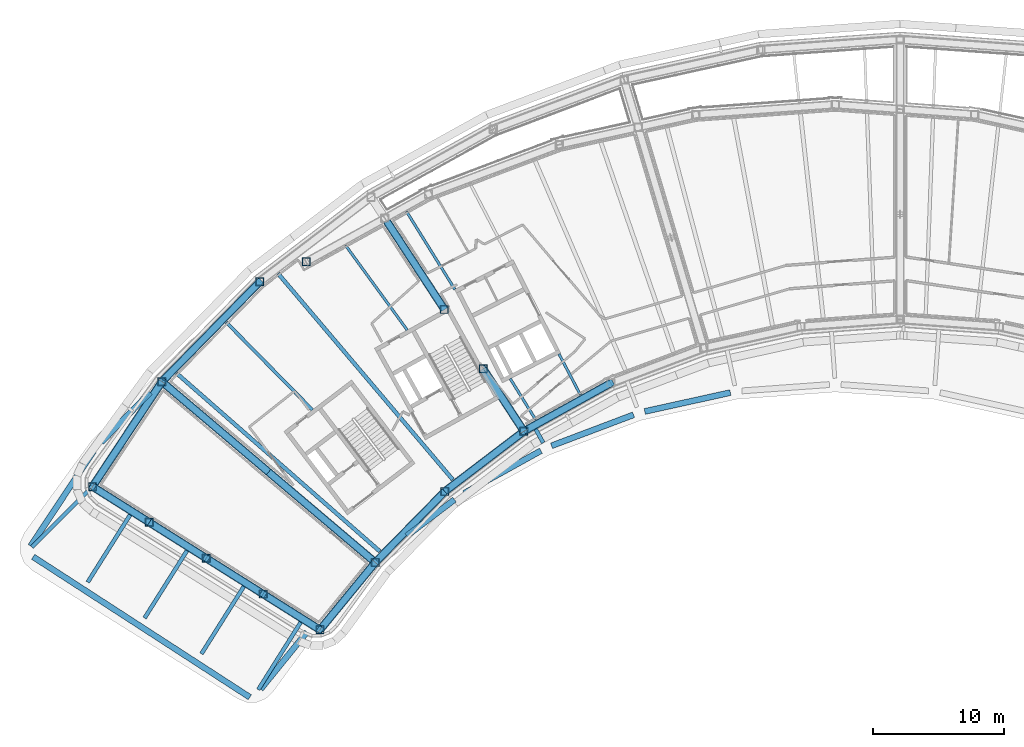
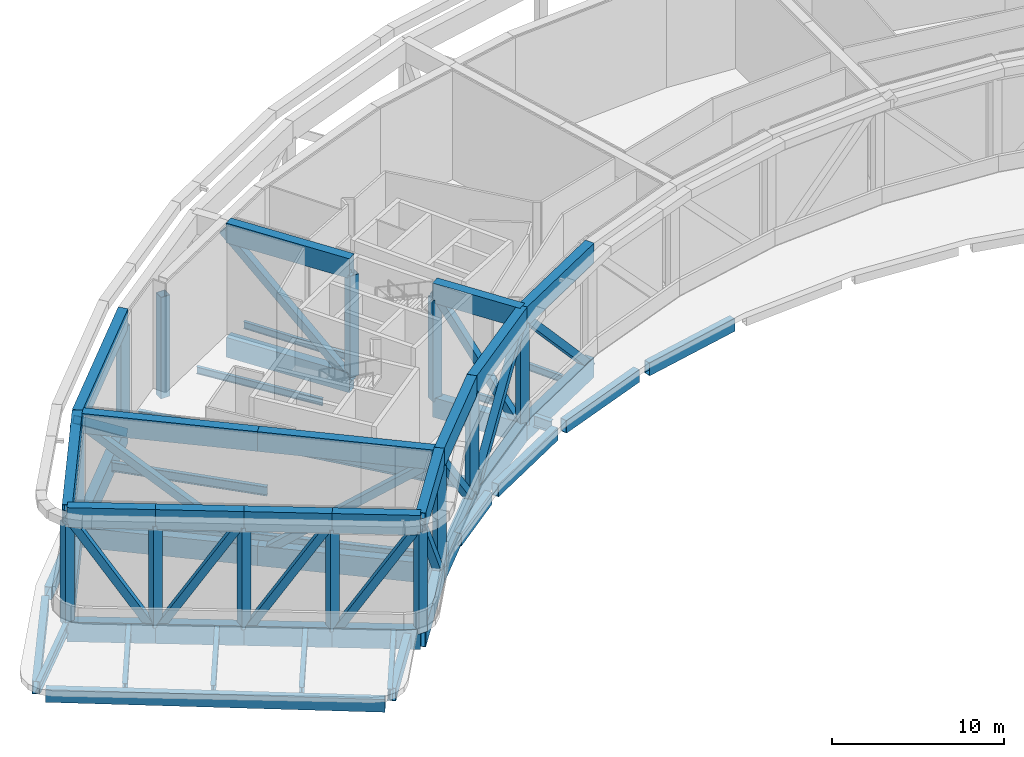
# One storey, part 1 of 27: 49 beams, 27 members.
"""IFC4 building model written with IfcOpenShell, lengths in metres."""

import ifcopenshell
import ifcopenshell.guid

model = None  # the IFC model being written
_history = None  # IfcOwnerHistory: only IFC2X3 demands one
_inside = {}  # id of a spatial element -> (the spatial element, [elements in it])
_under = {}  # id of a project, library or spatial element -> (it, [spatial elements below it])
_declared = {}  # id of a project -> (the project, [libraries it declares])
_typed = {}  # id of a type object -> (the type object, [elements of that type])
_made_of = {}  # id of a material, layer set ... -> (it, [elements and type objects made of it])


def new_model(schema):
    """Start an empty IFC model of exactly this schema.

    Asked for "IFC4X3", IfcOpenShell would pick the latest addendum, in which some entities
    have other attributes; the version numbers below select the first issue.
    IFC2X3 requires an IfcOwnerHistory on every rooted entity: one is made here for all.
    """
    global model, _history
    if schema == "IFC4X3":
        model = ifcopenshell.file(schema_version=(4, 3, 0, 0))
    else:
        model = ifcopenshell.file(schema=schema)
    _inside.clear()
    _under.clear()
    _declared.clear()
    _typed.clear()
    _made_of.clear()
    _history = None
    if model.schema == "IFC2X3":
        org = make("IfcOrganization", Name="unknown")
        user = make(
            "IfcPersonAndOrganization",
            ThePerson=make("IfcPerson", FamilyName="unknown"),
            TheOrganization=org,
        )
        app = make(
            "IfcApplication",
            ApplicationDeveloper=org,
            Version="unknown",
            ApplicationFullName="unknown",
            ApplicationIdentifier="unknown",
        )
        _history = make(
            "IfcOwnerHistory",
            OwningUser=user,
            OwningApplication=app,
            ChangeAction="ADDED",
            CreationDate=0,
        )
    return model


def make(cls, **values):
    """One entity of the class cls with the attributes given. An attribute that is None is left unset."""
    return model.create_entity(
        cls, **{name: value for name, value in values.items() if value is not None}
    )


def rooted(cls, **values):
    """An entity with a GlobalId (a new one), such as an element, a storey or a relation."""
    return make(cls, GlobalId=ifcopenshell.guid.new(), OwnerHistory=_history, **values)


def si_unit(unit_type, name, prefix=None):
    """IfcSIUnit, for example si_unit("LENGTHUNIT", "METRE", prefix="MILLI")."""
    return make("IfcSIUnit", UnitType=unit_type, Prefix=prefix, Name=name)


def assignment(units):
    """IfcUnitAssignment: the units of a project."""
    return None if units is None else make("IfcUnitAssignment", Units=units)


def point(xyz):
    """IfcCartesianPoint."""
    return None if xyz is None else make("IfcCartesianPoint", Coordinates=xyz)


def direction(xyz):
    """IfcDirection."""
    return None if xyz is None else make("IfcDirection", DirectionRatios=xyz)


def frame(location, z_axis=None, x_axis=None):
    """IfcAxis2Placement3D, a coordinate frame: its origin and axes. An axis left out is left unset."""
    return make(
        "IfcAxis2Placement3D",
        Location=point(location),
        Axis=direction(z_axis),
        RefDirection=direction(x_axis),
    )


def frame_2d(location, x_axis=None):
    """IfcAxis2Placement2D, a coordinate frame in the plane: its origin and x axis."""
    return make(
        "IfcAxis2Placement2D", Location=point(location), RefDirection=direction(x_axis)
    )


def origin():
    """The frame at (0, 0, 0) with its axes left unset."""
    return frame((0.0, 0.0, 0.0))


def origin_2d():
    """The frame at (0, 0) in the plane with its x axis left unset."""
    return frame_2d((0.0, 0.0))


def place(relative_to, where):
    """IfcLocalPlacement: puts the frame where relative to a parent placement (None: the world)."""
    return make(
        "IfcLocalPlacement", PlacementRelTo=relative_to, RelativePlacement=where
    )


def context(
    kind, dimensions, precision=None, world=None, true_north=None, identifier=None
):
    """IfcGeometricRepresentationContext, for example the 3D "Model" context."""
    return make(
        "IfcGeometricRepresentationContext",
        ContextIdentifier=identifier,
        ContextType=kind,
        CoordinateSpaceDimension=dimensions,
        Precision=precision,
        WorldCoordinateSystem=world,
        TrueNorth=true_north,
    )


def subcontext(parent, identifier, kind, view, scale=None):
    """IfcGeometricRepresentationSubContext, for example "Body" below "Model"."""
    return make(
        "IfcGeometricRepresentationSubContext",
        ContextIdentifier=identifier,
        ContextType=kind,
        ParentContext=parent,
        TargetScale=scale,
        TargetView=view,
    )


def project(units=None, contexts=None):
    """IfcProject with its units and contexts."""
    return rooted(
        "IfcProject",
        Name="project",
        RepresentationContexts=contexts,
        UnitsInContext=assignment(units),
    )


def spatial(cls, under=None, at=None, **own):
    """A site, building, storey or space (cls), placed at a placement, below another one or the project."""
    s = rooted(cls, ObjectPlacement=at, **own)
    if under is not None:
        _under.setdefault(under.id(), (under, []))[1].append(s)
    return s


def profile(cls, at=None, kind="AREA", **sizes):
    """A parametric profile (cls). Its sizes go by their IFC names, for example OverallWidth=200.0."""
    return make(cls, ProfileType=kind, Position=at, **sizes)


def hollow_rectangle(**sizes):
    """IfcRectangleHollowProfileDef."""
    return profile("IfcRectangleHollowProfileDef", **sizes)


def i_section(**sizes):
    """IfcIShapeProfileDef."""
    return profile("IfcIShapeProfileDef", **sizes)


def extrude(swept, where, along, depth):
    """IfcExtrudedAreaSolid: the profile swept, set in the frame where, extruded along a direction by depth."""
    return make(
        "IfcExtrudedAreaSolid",
        SweptArea=swept,
        Position=where,
        ExtrudedDirection=direction(along),
        Depth=depth,
    )


def shape(context_of_items, identifier, shape_type, items):
    """IfcShapeRepresentation: the items that make up one representation, for example the "Body"."""
    return make(
        "IfcShapeRepresentation",
        ContextOfItems=context_of_items,
        RepresentationIdentifier=identifier,
        RepresentationType=shape_type,
        Items=items,
    )


def material(Name=None, Category=None):
    """IfcMaterial."""
    return make("IfcMaterial", Name=Name, Category=Category)


def material_profile(
    of_material, cross_section, Name=None, Category=None, Priority=None
):
    """IfcMaterialProfile: a cross section and its material."""
    return make(
        "IfcMaterialProfile",
        Name=Name,
        Material=of_material,
        Profile=cross_section,
        Priority=Priority,
        Category=Category,
    )


def profile_set(profiles, Name=None, composite=None):
    """IfcMaterialProfileSet."""
    return make(
        "IfcMaterialProfileSet",
        Name=Name,
        MaterialProfiles=profiles,
        CompositeProfile=composite,
    )


def made_of(thing, what):
    """Note that an element or type object is made of a material, layer set ...; save() writes the relation."""
    if what is not None:
        _made_of.setdefault(what.id(), (what, []))[1].append(thing)
    return thing


def type_object(cls, material=None, **own):
    """A type object (cls), such as IfcWallType, which elements share."""
    return made_of(rooted(cls, **own), material)


def element(
    cls,
    number,
    at=None,
    inside=None,
    cuts=None,
    type_object=None,
    material=None,
    context=None,
    identifier="Body",
    shape_type=None,
    held_by="IfcProductDefinitionShape",
    body=None,
    shapes=None,
    **own,
):
    """One element of the class cls, such as IfcWall. Its Tag is "e" and its number.

    at: its placement. inside: the storey or other place that contains it. cuts: it is an
    opening in that element (IfcRelVoidsElement). A single representation is given by context,
    identifier, shape_type and body (its items); several are given by shapes. held_by: the class
    of the entity that holds the representations. save() writes the other relations.
    """
    e = rooted(cls, Tag="e%d" % number, ObjectPlacement=at, **own)
    if body is not None:
        shapes = [shape(context, identifier, shape_type, body)]
    if shapes is not None:
        e.Representation = make(held_by, Representations=shapes)
    if inside is not None:
        _inside.setdefault(inside.id(), (inside, []))[1].append(e)
    if cuts is not None:
        rooted(
            "IfcRelVoidsElement", RelatingBuildingElement=cuts, RelatedOpeningElement=e
        )
    if type_object is not None:
        _typed.setdefault(type_object.id(), (type_object, []))[1].append(e)
    return made_of(e, material)


def aggregate(whole, parts):
    """IfcRelAggregates: a whole, such as a stair, and the parts it consists of."""
    return rooted("IfcRelAggregates", RelatingObject=whole, RelatedObjects=parts)


def save(model, path):
    """Write the relations noted so far, then the file.

    IfcRelAggregates (storeys below a building ...), IfcRelContainedInSpatialStructure (elements
    in a storey), IfcRelDefinesByType, IfcRelAssociatesMaterial and IfcRelDeclares: one each for
    every whole, place, type object, material and project.
    """
    for whole, parts in _under.values():
        aggregate(whole, parts)
    for where, things in _inside.values():
        rooted(
            "IfcRelContainedInSpatialStructure",
            RelatedElements=things,
            RelatingStructure=where,
        )
    for kind, things in _typed.values():
        rooted("IfcRelDefinesByType", RelatedObjects=things, RelatingType=kind)
    for what, things in _made_of.values():
        rooted("IfcRelAssociatesMaterial", RelatedObjects=things, RelatingMaterial=what)
    for by, libraries in _declared.values():
        rooted("IfcRelDeclares", RelatingContext=by, RelatedDefinitions=libraries)
    model.write(path)


model = new_model("IFC4")

# Units and contexts
model_context = context("Model", 3, precision=1e-05, world=origin(), true_north=direction((0.0, 1.0)))
body_context = subcontext(model_context, "Body", "Model", "MODEL_VIEW")
ifc_project = project(units=[si_unit("LENGTHUNIT", "METRE"), si_unit("AREAUNIT", "SQUARE_METRE"), si_unit("VOLUMEUNIT", "CUBIC_METRE"), si_unit("PLANEANGLEUNIT", "RADIAN"), si_unit("MASSUNIT", "GRAM", prefix="KILO")], contexts=[model_context])

# Site, building, storey
site_placement = place(None, origin())
site = spatial("IfcSite", under=ifc_project, at=site_placement, CompositionType="ELEMENT")
building_placement = place(site_placement, origin())
building = spatial("IfcBuilding", under=site, at=building_placement, Name="Tuul Gate Civic Tower", CompositionType="ELEMENT")
storey_placement = place(building_placement, frame((0.0, 0.0, 201.5)))
storey = spatial("IfcBuildingStorey", under=building, at=storey_placement, Name="Wind floor 1", CompositionType="ELEMENT", Elevation=201.5)

# Beams
ifc_material_1 = material(Name="Steel S355", Category="steel")
ifc_material_profile_1 = material_profile(ifc_material_1, i_section(OverallWidth=0.199951171875, OverallDepth=0.5, WebThickness=0.010009765625, FlangeThickness=0.01611328125, at=origin_2d()), Name="PG500x200x10x16")
ifc_profile_set_1 = profile_set([ifc_material_profile_1], Name="Steel S355")
beam_type_1 = type_object("IfcBeamType", Name="STR-FLOOR BEAM-PG500x200x10x16", PredefinedType="BEAM", material=ifc_profile_set_1)
beam_1_placement = place(storey_placement, frame((-18.479736328125, -8.551025390625, -0.64990234375), z_axis=(-0.462739051565, 0.886494540399, 0.0), x_axis=(-0.886494540399, -0.462739051565, 0.0)))
element("IfcBeam", 1, at=beam_1_placement, inside=storey, type_object=beam_type_1, Name="Floor beam", PredefinedType="BEAM", context=body_context, shape_type="SweptSolid", body=[
    extrude(i_section(OverallWidth=0.199951171875, OverallDepth=0.5, WebThickness=0.010009765625, FlangeThickness=0.01611328125, at=origin_2d()), origin(), (0.0, 0.0, 1.0), 3.51953125),
])
beam_2_placement = place(storey_placement, frame((-21.896728515625, -10.4453125, -0.64990234375), z_axis=(-0.526986775965, 0.849873483501, 0.0), x_axis=(-0.849873483501, -0.526986775965, 0.0)))
element("IfcBeam", 2, at=beam_2_placement, inside=storey, type_object=beam_type_1, Name="Floor beam", PredefinedType="BEAM", context=body_context, shape_type="SweptSolid", body=[
    extrude(i_section(OverallWidth=0.199951171875, OverallDepth=0.5, WebThickness=0.010009765625, FlangeThickness=0.01611328125, at=origin_2d()), origin(), (0.0, 0.0, 1.0), 3.668701171875),
])
beam_3_placement = place(storey_placement, frame((-28.061279296875, -0.504638671875, -0.64990234375), z_axis=(-0.527012763032, 0.849857368975, 0.0), x_axis=(-0.849857368975, -0.527012763032, 0.0)))
element("IfcBeam", 3, at=beam_3_placement, inside=storey, type_object=beam_type_1, Name="Floor beam", PredefinedType="BEAM", context=body_context, shape_type="SweptSolid", body=[
    extrude(i_section(OverallWidth=0.199951171875, OverallDepth=0.5, WebThickness=0.010009765625, FlangeThickness=0.01611328125, at=origin_2d()), origin(), (0.0, 0.0, 1.0), 6.99658203125),
])
beam_4_placement = place(storey_placement, frame((-31.69873046875, -3.613525390625, -0.64990234375), z_axis=(-0.588434652474, 0.808544779074, 0.0), x_axis=(-0.808544779074, -0.588434652474, 0.0)))
element("IfcBeam", 4, at=beam_4_placement, inside=storey, type_object=beam_type_1, Name="Floor beam", PredefinedType="BEAM", context=body_context, shape_type="SweptSolid", body=[
    extrude(i_section(OverallWidth=0.199951171875, OverallDepth=0.5, WebThickness=0.010009765625, FlangeThickness=0.01611328125, at=origin_2d()), origin(), (0.0, 0.0, 1.0), 8.00390625),
])
ifc_material_2 = material(Name="Steel S355", Category="steel")
ifc_material_profile_2 = material_profile(ifc_material_2, i_section(OverallWidth=0.25, OverallDepth=0.64990234375, WebThickness=0.011962890625, FlangeThickness=0.02001953125, at=origin_2d()), Name="PG650x250x12x20")
ifc_profile_set_2 = profile_set([ifc_material_profile_2], Name="Steel S355")
beam_type_2 = type_object("IfcBeamType", Name="STR-FLOOR BEAM-PG650x250x12x20", PredefinedType="BEAM", material=ifc_profile_set_2)
beam_5_placement = place(storey_placement, frame((-38.940673828125, -9.7041015625, -0.72509765625), z_axis=(-0.701230505424, 0.712934624116, 0.0), x_axis=(-0.712934624116, -0.701230505424, 0.0)))
element("IfcBeam", 5, at=beam_5_placement, inside=storey, type_object=beam_type_2, Name="Floor beam", PredefinedType="BEAM", context=body_context, shape_type="SweptSolid", body=[
    extrude(i_section(OverallWidth=0.25, OverallDepth=0.64990234375, WebThickness=0.011962890625, FlangeThickness=0.02001953125, at=origin_2d()), origin(), (0.0, 0.0, 1.0), 9.365966796875),
])
ifc_material_3 = material(Name="Steel S355", Category="steel")
ifc_material_profile_3 = material_profile(ifc_material_3, i_section(OverallWidth=0.300048828125, OverallDepth=0.800048828125, WebThickness=0.013916015625, FlangeThickness=0.02490234375, at=origin_2d()), Name="PG800x300x14x25")
ifc_profile_set_3 = profile_set([ifc_material_profile_3], Name="Steel S355")
beam_type_3 = type_object("IfcBeamType", Name="STR-FLOOR BEAM-PG800x300x14x25", PredefinedType="BEAM", material=ifc_profile_set_3)
beam_6_placement = place(storey_placement, frame((-28.21826171875, -15.03466796875, -0.800048828125), z_axis=(-0.646593490763, 0.762834751242, 0.0), x_axis=(-0.762834751242, -0.646593490763, 0.0)))
element("IfcBeam", 6, at=beam_6_placement, inside=storey, type_object=beam_type_3, Name="Floor beam", PredefinedType="BEAM", context=body_context, shape_type="SweptSolid", body=[
    extrude(i_section(OverallWidth=0.300048828125, OverallDepth=0.800048828125, WebThickness=0.013916015625, FlangeThickness=0.02490234375, at=origin_2d()), origin(), (0.0, 0.0, 1.0), 20.629150390625),
])
beam_7_placement = place(storey_placement, frame((-33.795654296875, -20.506591796875, -0.800048828125), z_axis=(-0.752029607568, 0.65912932672, 0.0), x_axis=(-0.65912932672, -0.752029607568, 0.0)))
element("IfcBeam", 7, at=beam_7_placement, inside=storey, type_object=beam_type_3, Name="Floor beam", PredefinedType="BEAM", context=body_context, shape_type="SweptSolid", body=[
    extrude(i_section(OverallWidth=0.300048828125, OverallDepth=0.800048828125, WebThickness=0.013916015625, FlangeThickness=0.02490234375, at=origin_2d()), origin(), (0.0, 0.0, 1.0), 20.63232421875),
])
beam_8_placement = place(storey_placement, frame((-21.315185546875, -12.21435546875, -0.800048828125), z_axis=(-0.484904420009, 0.874567152056, 0.0), x_axis=(-0.874567152056, -0.484904420009, 0.0)))
element("IfcBeam", 8, at=beam_8_placement, inside=storey, type_object=beam_type_3, Name="Terrace beam", PredefinedType="BEAM", context=body_context, shape_type="SweptSolid", body=[
    extrude(i_section(OverallWidth=0.300048828125, OverallDepth=0.800048828125, WebThickness=0.013916015625, FlangeThickness=0.02490234375, at=origin_2d()), origin(), (0.0, 0.0, 1.0), 1.17919921875),
])
beam_9_placement = place(storey_placement, frame((-60.36279296875, -20.19482421875, -0.800048828125), z_axis=(0.707106781187, 0.707106781187, 0.0), x_axis=(-0.707106781187, 0.707106781187, 0.0)))
element("IfcBeam", 9, at=beam_9_placement, inside=storey, type_object=beam_type_3, Name="Terrace beam", PredefinedType="BEAM", context=body_context, shape_type="SweptSolid", body=[
    extrude(i_section(OverallWidth=0.300048828125, OverallDepth=0.800048828125, WebThickness=0.013916015625, FlangeThickness=0.02490234375, at=origin_2d()), origin(), (0.0, 0.0, 1.0), 6.25048828125),
])
beam_10_placement = place(storey_placement, frame((-56.09912109375, -22.8662109375, -0.800048828125), z_axis=(0.532823926361, 0.846226130238, 0.0), x_axis=(-0.846226130238, 0.532823926361, 0.0)))
element("IfcBeam", 10, at=beam_10_placement, inside=storey, type_object=beam_type_3, Name="Terrace beam", PredefinedType="BEAM", context=body_context, shape_type="SweptSolid", body=[
    extrude(i_section(OverallWidth=0.300048828125, OverallDepth=0.800048828125, WebThickness=0.013916015625, FlangeThickness=0.02490234375, at=origin_2d()), origin(), (0.0, 0.0, 1.0), 6.076171875),
])
beam_11_placement = place(storey_placement, frame((-51.756103515625, -25.601318359375, -0.800048828125), z_axis=(0.532881468024, 0.846189896558, 0.0), x_axis=(-0.846189896558, 0.532881468024, 0.0)))
element("IfcBeam", 11, at=beam_11_placement, inside=storey, type_object=beam_type_3, Name="Terrace beam", PredefinedType="BEAM", context=body_context, shape_type="SweptSolid", body=[
    extrude(i_section(OverallWidth=0.300048828125, OverallDepth=0.800048828125, WebThickness=0.013916015625, FlangeThickness=0.02490234375, at=origin_2d()), origin(), (0.0, 0.0, 1.0), 6.076416015625),
])
beam_12_placement = place(storey_placement, frame((-47.4140625, -28.335205078125, -0.800048828125), z_axis=(0.532953944095, 0.846144250984, 0.0), x_axis=(-0.846144250984, 0.532953944095, 0.0)))
element("IfcBeam", 12, at=beam_12_placement, inside=storey, type_object=beam_type_3, Name="Terrace beam", PredefinedType="BEAM", context=body_context, shape_type="SweptSolid", body=[
    extrude(i_section(OverallWidth=0.300048828125, OverallDepth=0.800048828125, WebThickness=0.013916015625, FlangeThickness=0.02490234375, at=origin_2d()), origin(), (0.0, 0.0, 1.0), 6.07568359375),
])
beam_13_placement = place(storey_placement, frame((-43.0712890625, -31.070068359375, -0.800048828125), z_axis=(0.532748261568, 0.84627376764, 0.0), x_axis=(-0.84627376764, 0.532748261568, 0.0)))
element("IfcBeam", 13, at=beam_13_placement, inside=storey, type_object=beam_type_3, Name="Terrace beam", PredefinedType="BEAM", context=body_context, shape_type="SweptSolid", body=[
    extrude(i_section(OverallWidth=0.300048828125, OverallDepth=0.800048828125, WebThickness=0.013916015625, FlangeThickness=0.02490234375, at=origin_2d()), origin(), (0.0, 0.0, 1.0), 6.076171875),
])
ifc_material_4 = material(Name="Steel S355", Category="steel")
ifc_material_profile_4 = material_profile(ifc_material_4, hollow_rectangle(XDim=0.449951171875, YDim=0.89990234375, WallThickness=0.02490234375, at=origin_2d()), Name="BOX900x450x25")
ifc_profile_set_4 = profile_set([ifc_material_profile_4], Name="Steel S355")
beam_type_4 = type_object("IfcBeamType", Name="STR-SPANDREL BEAM-BOX900x450x25", PredefinedType="BEAM", material=ifc_profile_set_4)
beam_14_placement = place(storey_placement, frame((-51.334228515625, -8.370361328125, -0.85009765625), z_axis=(-0.699974821532, -0.714167521819, 0.0), x_axis=(0.714167521819, -0.699974821532, 0.0)))
element("IfcBeam", 14, at=beam_14_placement, inside=storey, type_object=beam_type_4, Name="Terrace edge beam", PredefinedType="BEAM", context=body_context, shape_type="SweptSolid", body=[
    extrude(hollow_rectangle(XDim=0.449951171875, YDim=0.89990234375, WallThickness=0.02490234375, at=origin_2d()), origin(), (0.0, 0.0, 1.0), 5.33251953125),
])
beam_15_placement = place(storey_placement, frame((-55.6474609375, -12.86328125, -0.85009765625), z_axis=(-0.553436324141, -0.832891490604, 0.0), x_axis=(0.832891490604, -0.553436324141, 0.0)))
element("IfcBeam", 15, at=beam_15_placement, inside=storey, type_object=beam_type_4, Name="Terrace edge beam", PredefinedType="BEAM", context=body_context, shape_type="SweptSolid", body=[
    extrude(hollow_rectangle(XDim=0.449951171875, YDim=0.89990234375, WallThickness=0.02490234375, at=origin_2d()), origin(), (0.0, 0.0, 1.0), 8.697021484375),
])
beam_16_placement = place(storey_placement, frame((-60.266357421875, -20.927490234375, -0.85009765625), z_axis=(0.839165334539, -0.543876402603, 0.0), x_axis=(0.543876402603, 0.839165334539, 0.0)))
element("IfcBeam", 16, at=beam_16_placement, inside=storey, type_object=beam_type_4, Name="Terrace edge beam", PredefinedType="BEAM", context=body_context, shape_type="SweptSolid", body=[
    extrude(hollow_rectangle(XDim=0.449951171875, YDim=0.89990234375, WallThickness=0.02490234375, at=origin_2d()), origin(), (0.0, 0.0, 1.0), 19.71875),
])
beam_17_placement = place(storey_placement, frame((-42.896484375, -31.036376953125, -0.85009765625), z_axis=(0.629979061129, 0.77661211846, 0.0), x_axis=(-0.77661211846, 0.629979061129, 0.0)))
element("IfcBeam", 17, at=beam_17_placement, inside=storey, type_object=beam_type_4, Name="Terrace edge beam", PredefinedType="BEAM", context=body_context, shape_type="SweptSolid", body=[
    extrude(hollow_rectangle(XDim=0.449951171875, YDim=0.89990234375, WallThickness=0.02490234375, at=origin_2d()), origin(), (0.0, 0.0, 1.0), 5.619384765625),
])
beam_18_placement = place(storey_placement, frame((-31.7314453125, -19.329345703125, -0.85009765625), z_axis=(0.795626642295, 0.605787294412, 0.0), x_axis=(-0.605787294412, 0.795626642295, 0.0)))
element("IfcBeam", 18, at=beam_18_placement, inside=storey, type_object=beam_type_4, Name="Terrace edge beam", PredefinedType="BEAM", context=body_context, shape_type="SweptSolid", body=[
    extrude(hollow_rectangle(XDim=0.449951171875, YDim=0.89990234375, WallThickness=0.02490234375, at=origin_2d()), origin(), (0.0, 0.0, 1.0), 4.570556640625),
])
beam_19_placement = place(storey_placement, frame((-27.343505859375, -16.06982421875, -0.85009765625), z_axis=(0.87466619377, 0.48472574666, 0.0), x_axis=(-0.48472574666, 0.87466619377, 0.0)))
element("IfcBeam", 19, at=beam_19_placement, inside=storey, type_object=beam_type_4, Name="Terrace edge beam", PredefinedType="BEAM", context=body_context, shape_type="SweptSolid", body=[
    extrude(hollow_rectangle(XDim=0.449951171875, YDim=0.89990234375, WallThickness=0.02490234375, at=origin_2d()), origin(), (0.0, 0.0, 1.0), 6.691650390625),
])
beam_20_placement = place(storey_placement, frame((-20.676025390625, -12.44873046875, -0.85009765625), z_axis=(0.935376636167, 0.353653147184, 0.0), x_axis=(-0.353653147184, 0.935376636167, 0.0)))
element("IfcBeam", 20, at=beam_20_placement, inside=storey, type_object=beam_type_4, Name="Terrace edge beam", PredefinedType="BEAM", context=body_context, shape_type="SweptSolid", body=[
    extrude(hollow_rectangle(XDim=0.449951171875, YDim=0.89990234375, WallThickness=0.02490234375, at=origin_2d()), origin(), (0.0, 0.0, 1.0), 6.69140625),
])
beam_21_placement = place(storey_placement, frame((-13.556640625, -9.826171875, -0.85009765625), z_axis=(0.976559873442, 0.215245937437, 0.0), x_axis=(-0.215245937437, 0.976559873442, 0.0)))
element("IfcBeam", 21, at=beam_21_placement, inside=storey, type_object=beam_type_4, Name="Terrace edge beam", PredefinedType="BEAM", context=body_context, shape_type="SweptSolid", body=[
    extrude(hollow_rectangle(XDim=0.449951171875, YDim=0.89990234375, WallThickness=0.02490234375, at=origin_2d()), origin(), (0.0, 0.0, 1.0), 6.692138671875),
])
ifc_material_5 = material(Name="Steel S460", Category="steel")
ifc_material_profile_5 = material_profile(ifc_material_5, hollow_rectangle(XDim=0.60009765625, YDim=1.39990234375, WallThickness=0.031982421875, at=origin_2d()), Name="BOX1400x600x32")
ifc_profile_set_5 = profile_set([ifc_material_profile_5], Name="Steel S460")
beam_type_5 = type_object("IfcBeamType", Name="STR-TRANSFER TRUSS CHORD-BOX1400x600x32", PredefinedType="BEAM", material=ifc_profile_set_5)
for number, where, z_axis, x_axis, name in (
    (22, (-50.431884765625, -7.550048828125, -1.10009765625), (0.762813595765, -0.646618448636, 0.0), (0.646618448636, 0.762813595765, 0.0), "Radial truss bottom chord"),
    (23, (-42.28662109375, -14.45458984375, -1.10009765625), (0.762834432811, -0.64659386644, 0.0), (0.64659386644, 0.762834432811, 0.0), "Radial truss bottom chord"),
    (24, (-50.431884765625, -7.550048828125, 7.0), (0.762813595765, -0.646618448636, 0.0), (0.646618448636, 0.762813595765, 0.0), "Radial truss top chord"),
    (25, (-42.28662109375, -14.45458984375, 7.0), (0.762834432811, -0.64659386644, 0.0), (0.64659386644, 0.762834432811, 0.0), "Radial truss top chord"),
):
    element("IfcBeam", number, at=place(storey_placement, frame(where, z_axis=z_axis, x_axis=x_axis)), inside=storey, type_object=beam_type_5, Name=name, PredefinedType="BEAM", context=body_context, shape_type="SweptSolid", body=[
        extrude(hollow_rectangle(XDim=0.60009765625, YDim=1.39990234375, WallThickness=0.031982421875, at=origin_2d()), origin(), (0.0, 0.0, 1.0), 10.677978515625),
    ])
for number, where, z_axis, x_axis, name in (
    (26, (-42.9580078125, 0.074951171875, -1.10009765625), (-0.699994363812, -0.71414836738, 0.0), (0.71414836738, -0.699994363812, 0.0), "Belt truss bottom chord"),
    (27, (-42.9580078125, 0.074951171875, 7.0), (-0.699994363812, -0.71414836738, 0.0), (0.71414836738, -0.699994363812, 0.0), "Belt truss top chord"),
):
    element("IfcBeam", number, at=place(storey_placement, frame(where, z_axis=z_axis, x_axis=x_axis)), inside=storey, type_object=beam_type_5, Name=name, PredefinedType="BEAM", context=body_context, shape_type="SweptSolid", body=[
        extrude(hollow_rectangle(XDim=0.60009765625, YDim=1.39990234375, WallThickness=0.031982421875, at=origin_2d()), origin(), (0.0, 0.0, 1.0), 10.677001953125),
    ])
for number, where, z_axis, x_axis, name in (
    (28, (-33.240966796875, 4.67138671875, -1.10009765625), (0.546717428547, -0.837317176059, 0.0), (0.837317176059, 0.546717428547, 0.0), "Radial truss bottom chord"),
    (29, (-33.240966796875, 4.67138671875, 7.0), (0.546717428547, -0.837317176059, 0.0), (0.837317176059, 0.546717428547, 0.0), "Radial truss top chord"),
):
    element("IfcBeam", number, at=place(storey_placement, frame(where, z_axis=z_axis, x_axis=x_axis)), inside=storey, type_object=beam_type_5, Name=name, PredefinedType="BEAM", context=body_context, shape_type="SweptSolid", body=[
        extrude(hollow_rectangle(XDim=0.60009765625, YDim=1.39990234375, WallThickness=0.031982421875, at=origin_2d()), origin(), (0.0, 0.0, 1.0), 8.014892578125),
    ])
for number, where, z_axis, x_axis, name in (
    (30, (-50.431884765625, -7.550048828125, -1.10009765625), (-0.551605665118, -0.834105023489, 0.0), (0.834105023489, -0.551605665118, 0.0), "Belt truss bottom chord"),
    (31, (-50.431884765625, -7.550048828125, 7.0), (-0.551605665118, -0.834105023489, 0.0), (0.834105023489, -0.551605665118, 0.0), "Belt truss top chord"),
):
    element("IfcBeam", number, at=place(storey_placement, frame(where, z_axis=z_axis, x_axis=x_axis)), inside=storey, type_object=beam_type_5, Name=name, PredefinedType="BEAM", context=body_context, shape_type="SweptSolid", body=[
        extrude(hollow_rectangle(XDim=0.60009765625, YDim=1.39990234375, WallThickness=0.031982421875, at=origin_2d()), origin(), (0.0, 0.0, 1.0), 9.606689453125),
    ])
for number, where, z_axis, x_axis, name in (
    (32, (-22.787109375, -11.339111328125, -1.10009765625), (0.874593766126, 0.484856416121, 0.0), (-0.484856416121, 0.874593766126, 0.0), "Belt truss bottom chord"),
    (33, (-22.787109375, -11.339111328125, 7.0), (0.874593766126, 0.484856416121, 0.0), (-0.484856416121, 0.874593766126, 0.0), "Belt truss top chord"),
):
    element("IfcBeam", number, at=place(storey_placement, frame(where, z_axis=z_axis, x_axis=x_axis)), inside=storey, type_object=beam_type_5, Name=name, PredefinedType="BEAM", context=body_context, shape_type="SweptSolid", body=[
        extrude(hollow_rectangle(XDim=0.60009765625, YDim=1.39990234375, WallThickness=0.031982421875, at=origin_2d()), origin(), (0.0, 0.0, 1.0), 7.59228515625),
    ])
for number, where, z_axis, x_axis, name in (
    (34, (-28.826904296875, -15.93798828125, -1.10009765625), (0.795614033474, 0.60580385418, 0.0), (-0.60580385418, 0.795614033474, 0.0), "Belt truss bottom chord"),
    (35, (-28.826904296875, -15.93798828125, 7.0), (0.795614033474, 0.60580385418, 0.0), (-0.60580385418, 0.795614033474, 0.0), "Belt truss top chord"),
    (36, (-34.14111328125, -21.35888671875, -1.10009765625), (0.700044722184, 0.7140990036, 0.0), (-0.7140990036, 0.700044722184, 0.0), "Belt truss bottom chord"),
    (37, (-34.14111328125, -21.35888671875, 7.0), (0.700044722184, 0.7140990036, 0.0), (-0.7140990036, 0.700044722184, 0.0), "Belt truss top chord"),
):
    element("IfcBeam", number, at=place(storey_placement, frame(where, z_axis=z_axis, x_axis=x_axis)), inside=storey, type_object=beam_type_5, Name=name, PredefinedType="BEAM", context=body_context, shape_type="SweptSolid", body=[
        extrude(hollow_rectangle(XDim=0.60009765625, YDim=1.39990234375, WallThickness=0.031982421875, at=origin_2d()), origin(), (0.0, 0.0, 1.0), 7.59130859375),
    ])
for number, where, z_axis, x_axis, name in (
    (38, (-38.361083984375, -26.5009765625, -1.10009765625), (0.634390286361, 0.773012913586, 0.0), (-0.773012913586, 0.634390286361, 0.0), "Belt truss bottom chord"),
    (39, (-38.361083984375, -26.5009765625, 7.0), (0.634390286361, 0.773012913586, 0.0), (-0.773012913586, 0.634390286361, 0.0), "Belt truss top chord"),
):
    element("IfcBeam", number, at=place(storey_placement, frame(where, z_axis=z_axis, x_axis=x_axis)), inside=storey, type_object=beam_type_5, Name=name, PredefinedType="BEAM", context=body_context, shape_type="SweptSolid", body=[
        extrude(hollow_rectangle(XDim=0.60009765625, YDim=1.39990234375, WallThickness=0.031982421875, at=origin_2d()), origin(), (0.0, 0.0, 1.0), 6.652099609375),
    ])
for number, where, z_axis, x_axis, name in (
    (40, (-25.901611328125, -6.569091796875, -1.10009765625), (0.546713484743, -0.83731975111, 0.0), (0.83731975111, 0.546713484743, 0.0), "Radial truss bottom chord"),
    (41, (-25.901611328125, -6.569091796875, 7.0), (0.546713484743, -0.83731975111, 0.0), (0.83731975111, 0.546713484743, 0.0), "Radial truss top chord"),
):
    element("IfcBeam", number, at=place(storey_placement, frame(where, z_axis=z_axis, x_axis=x_axis)), inside=storey, type_object=beam_type_5, Name=name, PredefinedType="BEAM", context=body_context, shape_type="SweptSolid", body=[
        extrude(hollow_rectangle(XDim=0.60009765625, YDim=1.39990234375, WallThickness=0.031982421875, at=origin_2d()), origin(), (0.0, 0.0, 1.0), 5.69677734375),
    ])
for number, where, z_axis, x_axis, name in (
    (42, (-51.388916015625, -18.297119140625, -1.10009765625), (0.846200269344, -0.532864996188, 0.0), (0.532864996188, 0.846200269344, 0.0), "Belt truss bottom chord"),
    (43, (-51.388916015625, -18.297119140625, 7.0), (0.846200269344, -0.532864996188, 0.0), (0.532864996188, 0.846200269344, 0.0), "Belt truss top chord"),
):
    element("IfcBeam", number, at=place(storey_placement, frame(where, z_axis=z_axis, x_axis=x_axis)), inside=storey, type_object=beam_type_5, Name=name, PredefinedType="BEAM", context=body_context, shape_type="SweptSolid", body=[
        extrude(hollow_rectangle(XDim=0.60009765625, YDim=1.39990234375, WallThickness=0.031982421875, at=origin_2d()), origin(), (0.0, 0.0, 1.0), 5.13232421875),
    ])
for number, where, z_axis, x_axis, name in (
    (44, (-42.7041015625, -23.76708984375, -1.10009765625), (0.846286064045, -0.532728728156, 0.0), (0.532728728156, 0.846286064045, 0.0), "Belt truss bottom chord"),
    (45, (-42.7041015625, -23.76708984375, 7.0), (0.846286064045, -0.532728728156, 0.0), (0.532728728156, 0.846286064045, 0.0), "Belt truss top chord"),
):
    element("IfcBeam", number, at=place(storey_placement, frame(where, z_axis=z_axis, x_axis=x_axis)), inside=storey, type_object=beam_type_5, Name=name, PredefinedType="BEAM", context=body_context, shape_type="SweptSolid", body=[
        extrude(hollow_rectangle(XDim=0.60009765625, YDim=1.39990234375, WallThickness=0.031982421875, at=origin_2d()), origin(), (0.0, 0.0, 1.0), 5.1318359375),
    ])
for number, where, z_axis, x_axis, name in (
    (46, (-47.0458984375, -21.031982421875, -1.10009765625), (0.846111258092, -0.53300632166, 0.0), (0.53300632166, 0.846111258092, 0.0), "Belt truss bottom chord"),
    (47, (-47.0458984375, -21.031982421875, 7.0), (0.846111258092, -0.53300632166, 0.0), (0.53300632166, 0.846111258092, 0.0), "Belt truss top chord"),
):
    element("IfcBeam", number, at=place(storey_placement, frame(where, z_axis=z_axis, x_axis=x_axis)), inside=storey, type_object=beam_type_5, Name=name, PredefinedType="BEAM", context=body_context, shape_type="SweptSolid", body=[
        extrude(hollow_rectangle(XDim=0.60009765625, YDim=1.39990234375, WallThickness=0.031982421875, at=origin_2d()), origin(), (0.0, 0.0, 1.0), 5.131591796875),
    ])
for number, where, z_axis, x_axis, name in (
    (48, (-55.73095703125, -15.56298828125, -1.10009765625), (0.846210591722, -0.532848603694, 0.0), (0.532848603694, 0.846210591722, 0.0), "Belt truss bottom chord"),
    (49, (-55.73095703125, -15.56298828125, 7.0), (0.846210591722, -0.532848603694, 0.0), (0.532848603694, 0.846210591722, 0.0), "Belt truss top chord"),
):
    element("IfcBeam", number, at=place(storey_placement, frame(where, z_axis=z_axis, x_axis=x_axis)), inside=storey, type_object=beam_type_5, Name=name, PredefinedType="BEAM", context=body_context, shape_type="SweptSolid", body=[
        extrude(hollow_rectangle(XDim=0.60009765625, YDim=1.39990234375, WallThickness=0.031982421875, at=origin_2d()), origin(), (0.0, 0.0, 1.0), 5.131103515625),
    ])

# Members
ifc_material_6 = material(Name="Steel S355", Category="steel")
ifc_material_profile_6 = material_profile(ifc_material_6, hollow_rectangle(XDim=0.5, YDim=0.5, WallThickness=0.02001953125, at=origin_2d()), Name="BOX500x500x20")
ifc_profile_set_6 = profile_set([ifc_material_profile_6], Name="Steel S355")
member_type_1 = type_object("IfcMemberType", Name="STR-TRANSFER TRUSS DIAGONAL-BOX500x500x20", PredefinedType="BRACE", material=ifc_profile_set_6)
for number, where, z_axis, x_axis, name in (
    (50, (-42.283447265625, -14.45703125, -1.10302734375), (-0.607756075677, 0.515161054653, 0.604352248484), (-0.646604628464, -0.762825310572, 0.0), "Radial truss web"),
    (51, (-42.28955078125, -14.451904296875, -1.10302734375), (0.607756075677, -0.515161054653, 0.604352248484), (0.646604628464, 0.762825310572, 0.0), "Radial truss web"),
):
    element("IfcMember", number, at=place(storey_placement, frame(where, z_axis=z_axis, x_axis=x_axis)), inside=storey, type_object=member_type_1, Name=name, PredefinedType="BRACE", context=body_context, shape_type="SweptSolid", body=[
        extrude(hollow_rectangle(XDim=0.5, YDim=0.5, WallThickness=0.02001953125, at=origin_2d()), origin(), (0.0, 0.0, 1.0), 13.41259765625),
    ])
member_1_placement = place(storey_placement, frame((-42.955322265625, 0.077880859375, -1.10302734375), z_axis=(-0.557681126384, -0.568949066625, 0.604391198531), x_axis=(0.714143160601, -0.699999675833, 0.0)))
element("IfcMember", 52, at=member_1_placement, inside=storey, type_object=member_type_1, Name="Belt truss web", PredefinedType="BRACE", context=body_context, shape_type="SweptSolid", body=[
    extrude(hollow_rectangle(XDim=0.5, YDim=0.5, WallThickness=0.02001953125, at=origin_2d()), origin(), (0.0, 0.0, 1.0), 13.411865234375),
])
member_2_placement = place(storey_placement, frame((-28.857177734375, -2.04248046875, -1.103515625), z_axis=(-0.391627043065, 0.599785946783, 0.697771507861), x_axis=(-0.837315176952, -0.546720490238, 0.0)))
element("IfcMember", 53, at=member_2_placement, inside=storey, type_object=member_type_1, Name="Radial truss web", PredefinedType="BRACE", context=body_context, shape_type="SweptSolid", body=[
    extrude(hollow_rectangle(XDim=0.5, YDim=0.5, WallThickness=0.02001953125, at=origin_2d()), origin(), (0.0, 0.0, 1.0), 11.618408203125),
])
member_3_placement = place(storey_placement, frame((-50.429931640625, -7.546875, -1.103271484375), z_axis=(-0.421704824659, -0.637682459054, 0.644613157075), x_axis=(0.834107292134, -0.551602234594, 0.0)))
element("IfcMember", 54, at=member_3_placement, inside=storey, type_object=member_type_1, Name="Belt truss web", PredefinedType="BRACE", context=body_context, shape_type="SweptSolid", body=[
    extrude(hollow_rectangle(XDim=0.5, YDim=0.5, WallThickness=0.02001953125, at=origin_2d()), origin(), (0.0, 0.0, 1.0), 12.57568359375),
])
for number, where, z_axis, x_axis, name in (
    (55, (-16.14404296875, -7.65625, -1.103759765625), (-0.598098415664, -0.331566497347, 0.729617669068), (0.484848918238, -0.874597922753, 0.0), "Belt truss web"),
    (56, (-28.829833984375, -15.940185546875, -1.103759765625), (0.544079044004, 0.414271710806, 0.729627948685), (-0.6057982754, 0.79561828129, 0.0), "Belt truss web"),
):
    element("IfcMember", number, at=place(storey_placement, frame(where, z_axis=z_axis, x_axis=x_axis)), inside=storey, type_object=member_type_1, Name=name, PredefinedType="BRACE", context=body_context, shape_type="SweptSolid", body=[
        extrude(hollow_rectangle(XDim=0.5, YDim=0.5, WallThickness=0.02001953125, at=origin_2d()), origin(), (0.0, 0.0, 1.0), 11.11181640625),
    ])
member_4_placement = place(storey_placement, frame((-28.82470703125, -15.935546875, -1.103759765625), z_axis=(-0.478674035567, -0.488320026001, 0.729667540652), x_axis=(0.714124806914, -0.700018399866, 0.0)))
element("IfcMember", 57, at=member_4_placement, inside=storey, type_object=member_type_1, Name="Belt truss web", PredefinedType="BRACE", context=body_context, shape_type="SweptSolid", body=[
    extrude(hollow_rectangle(XDim=0.5, YDim=0.5, WallThickness=0.02001953125, at=origin_2d()), origin(), (0.0, 0.0, 1.0), 11.111083984375),
])
member_5_placement = place(storey_placement, frame((-34.138916015625, -21.3564453125, -1.103759765625), z_axis=(-0.402628296545, -0.490591246547, 0.772794075827), x_axis=(0.77300236669, -0.634403137675, 0.0)))
element("IfcMember", 58, at=member_5_placement, inside=storey, type_object=member_type_1, Name="Belt truss web", PredefinedType="BRACE", context=body_context, shape_type="SweptSolid", body=[
    extrude(hollow_rectangle(XDim=0.5, YDim=0.5, WallThickness=0.02001953125, at=origin_2d()), origin(), (0.0, 0.0, 1.0), 10.491455078125),
])
member_6_placement = place(storey_placement, frame((-22.785400390625, -11.34130859375, -1.10400390625), z_axis=(-0.314516787086, 0.481676178938, 0.817965310564), x_axis=(-0.837308103662, -0.546731322993, 0.0)))
element("IfcMember", 59, at=member_6_placement, inside=storey, type_object=member_type_1, Name="Radial truss web", PredefinedType="BRACE", context=body_context, shape_type="SweptSolid", body=[
    extrude(hollow_rectangle(XDim=0.5, YDim=0.5, WallThickness=0.02001953125, at=origin_2d()), origin(), (0.0, 0.0, 1.0), 9.91259765625),
])
member_7_placement = place(storey_placement, frame((-51.391357421875, -18.295654296875, -1.104248046875), z_axis=(0.452920790435, -0.285211912844, 0.844699308845), x_axis=(0.532866201204, 0.846199510526, 0.0)))
element("IfcMember", 60, at=member_7_placement, inside=storey, type_object=member_type_1, Name="Belt truss web", PredefinedType="BRACE", context=body_context, shape_type="SweptSolid", body=[
    extrude(hollow_rectangle(XDim=0.5, YDim=0.5, WallThickness=0.02001953125, at=origin_2d()), origin(), (0.0, 0.0, 1.0), 9.59912109375),
])
member_8_placement = place(storey_placement, frame((-42.706298828125, -23.765625, -1.104248046875), z_axis=(0.452933930528, -0.285118450203, 0.844723815179), x_axis=(0.53273007895, 0.846285213732, 0.0)))
element("IfcMember", 61, at=member_8_placement, inside=storey, type_object=member_type_1, Name="Belt truss web", PredefinedType="BRACE", context=body_context, shape_type="SweptSolid", body=[
    extrude(hollow_rectangle(XDim=0.5, YDim=0.5, WallThickness=0.02001953125, at=origin_2d()), origin(), (0.0, 0.0, 1.0), 9.598876953125),
])
member_9_placement = place(storey_placement, frame((-47.04833984375, -21.030517578125, -1.104248046875), z_axis=(0.452839920095, -0.285225054142, 0.844738228836), x_axis=(0.53295191773, 0.846145527311, 0.0)))
element("IfcMember", 62, at=member_9_placement, inside=storey, type_object=member_type_1, Name="Belt truss web", PredefinedType="BRACE", context=body_context, shape_type="SweptSolid", body=[
    extrude(hollow_rectangle(XDim=0.5, YDim=0.5, WallThickness=0.02001953125, at=origin_2d()), origin(), (0.0, 0.0, 1.0), 9.5986328125),
])
member_10_placement = place(storey_placement, frame((-51.38671875, -18.29833984375, -1.104248046875), z_axis=(-0.452832839438, 0.285134872218, 0.844772468877), x_axis=(-0.532837222396, -0.84621775828, 0.0)))
element("IfcMember", 63, at=member_10_placement, inside=storey, type_object=member_type_1, Name="Belt truss web", PredefinedType="BRACE", context=body_context, shape_type="SweptSolid", body=[
    extrude(hollow_rectangle(XDim=0.5, YDim=0.5, WallThickness=0.02001953125, at=origin_2d()), origin(), (0.0, 0.0, 1.0), 9.598388671875),
])
ifc_material_7 = material(Name="Steel S355", Category="steel")
ifc_material_profile_7 = material_profile(ifc_material_7, hollow_rectangle(XDim=0.60009765625, YDim=0.60009765625, WallThickness=0.028076171875, at=origin_2d()), Name="BOX600x600x28")
ifc_profile_set_7 = profile_set([ifc_material_profile_7], Name="Steel S355")
member_type_2 = type_object("IfcMemberType", Name="STR-TRUSS POST-BOX600x600x28", PredefinedType="POST", material=ifc_profile_set_7)
for number, where, z_axis, x_axis, name in (
    (64, (-50.431884765625, -7.550048828125, -0.64501953125), (0.0, 0.0, 1.0), (1.0, 0.0, 0.0), "Radial truss post"),
    (65, (-34.14111328125, -21.35888671875, -0.64501953125), (0.0, 0.0, 1.0), (1.0, 0.0, 0.0), "Radial truss post"),
    (66, (-42.9580078125, 0.074951171875, -0.64501953125), (0.0, 0.0, 1.0), (1.0, 0.0, 0.0), "Belt truss post"),
    (67, (-39.412109375, 1.593017578125, -0.64501953125), (0.0, 0.0, 1.0), (1.0, 0.0, 0.0), "Belt truss post"),
    (68, (-28.859130859375, -2.03955078125, -0.64501953125), (0.0, 0.0, 1.0), (1.0, 0.0, 0.0), "Radial truss post"),
    (69, (-55.73095703125, -15.56298828125, -0.64501953125), (0.0, 0.0, 1.0), (1.0, 0.0, 0.0), "Belt truss post"),
    (70, (-22.787109375, -11.339111328125, -0.64501953125), (0.0, 0.0, 1.0), (1.0, 0.0, 0.0), "Belt truss post"),
    (71, (-28.826904296875, -15.93798828125, -0.64501953125), (0.0, 0.0, 1.0), (1.0, 0.0, 0.0), "Belt truss post"),
    (72, (-38.361083984375, -26.5009765625, -0.64501953125), (0.0, 0.0, 1.0), (1.0, 0.0, 0.0), "Belt truss post"),
    (73, (-25.901611328125, -6.569091796875, -0.64501953125), (0.0, 0.0, 1.0), (1.0, 0.0, 0.0), "Radial truss post"),
    (74, (-51.388916015625, -18.297119140625, -0.64501953125), (0.0, 0.0, 1.0), (1.0, 0.0, 0.0), "Belt truss post"),
    (75, (-47.0458984375, -21.031982421875, -0.64501953125), (0.0, 0.0, 1.0), (1.0, 0.0, 0.0), "Belt truss post"),
    (76, (-42.7041015625, -23.76708984375, -0.64501953125), (0.0, 0.0, 1.0), (1.0, 0.0, 0.0), "Belt truss post"),
):
    element("IfcMember", number, at=place(storey_placement, frame(where, z_axis=z_axis, x_axis=x_axis)), inside=storey, type_object=member_type_2, Name=name, PredefinedType="POST", context=body_context, shape_type="SweptSolid", body=[
        extrude(hollow_rectangle(XDim=0.60009765625, YDim=0.60009765625, WallThickness=0.028076171875, at=origin_2d()), origin(), (0.0, 0.0, 1.0), 7.18994140625),
    ])

save(model, "model.ifc")
